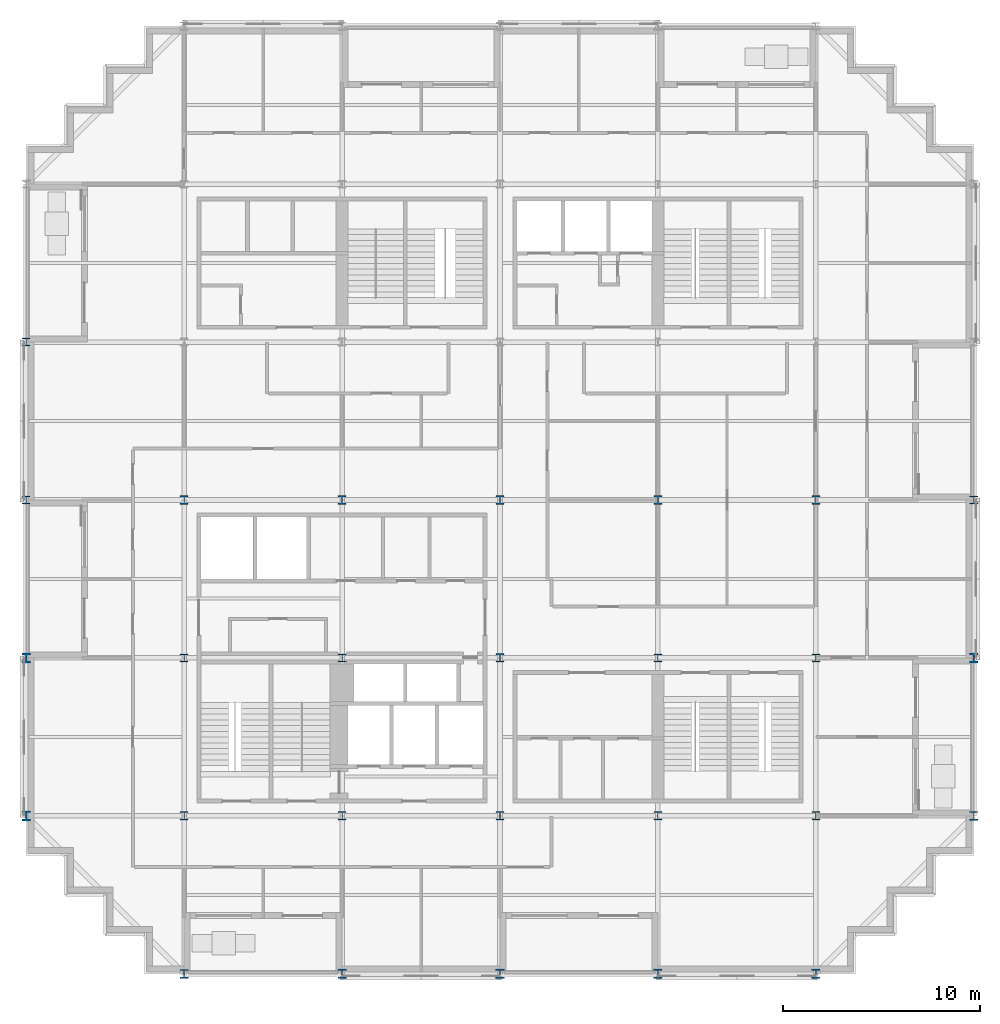
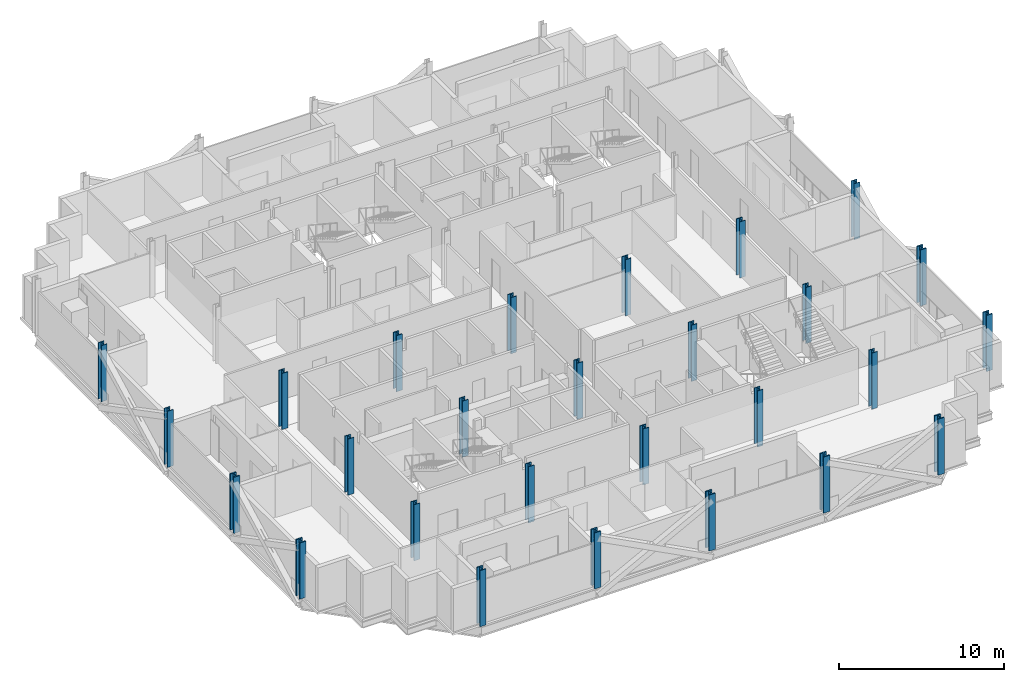
# One storey, part 1 of 15: 27 columns.
"""IFC4 building model written with IfcOpenShell, lengths in metres."""

import ifcopenshell
import ifcopenshell.guid

model = None  # the IFC model being written
_history = None  # IfcOwnerHistory: only IFC2X3 demands one
_inside = {}  # id of a spatial element -> (the spatial element, [elements in it])
_under = {}  # id of a project, library or spatial element -> (it, [spatial elements below it])
_declared = {}  # id of a project -> (the project, [libraries it declares])
_typed = {}  # id of a type object -> (the type object, [elements of that type])
_made_of = {}  # id of a material, layer set ... -> (it, [elements and type objects made of it])


def new_model(schema):
    """Start an empty IFC model of exactly this schema.

    Asked for "IFC4X3", IfcOpenShell would pick the latest addendum, in which some entities
    have other attributes; the version numbers below select the first issue.
    IFC2X3 requires an IfcOwnerHistory on every rooted entity: one is made here for all.
    """
    global model, _history
    if schema == "IFC4X3":
        model = ifcopenshell.file(schema_version=(4, 3, 0, 0))
    else:
        model = ifcopenshell.file(schema=schema)
    _inside.clear()
    _under.clear()
    _declared.clear()
    _typed.clear()
    _made_of.clear()
    _history = None
    if model.schema == "IFC2X3":
        org = make("IfcOrganization", Name="unknown")
        user = make(
            "IfcPersonAndOrganization",
            ThePerson=make("IfcPerson", FamilyName="unknown"),
            TheOrganization=org,
        )
        app = make(
            "IfcApplication",
            ApplicationDeveloper=org,
            Version="unknown",
            ApplicationFullName="unknown",
            ApplicationIdentifier="unknown",
        )
        _history = make(
            "IfcOwnerHistory",
            OwningUser=user,
            OwningApplication=app,
            ChangeAction="ADDED",
            CreationDate=0,
        )
    return model


def make(cls, **values):
    """One entity of the class cls with the attributes given. An attribute that is None is left unset."""
    return model.create_entity(
        cls, **{name: value for name, value in values.items() if value is not None}
    )


def rooted(cls, **values):
    """An entity with a GlobalId (a new one), such as an element, a storey or a relation."""
    return make(cls, GlobalId=ifcopenshell.guid.new(), OwnerHistory=_history, **values)


def si_unit(unit_type, name, prefix=None):
    """IfcSIUnit, for example si_unit("LENGTHUNIT", "METRE", prefix="MILLI")."""
    return make("IfcSIUnit", UnitType=unit_type, Prefix=prefix, Name=name)


def assignment(units):
    """IfcUnitAssignment: the units of a project."""
    return None if units is None else make("IfcUnitAssignment", Units=units)


def point(xyz):
    """IfcCartesianPoint."""
    return None if xyz is None else make("IfcCartesianPoint", Coordinates=xyz)


def direction(xyz):
    """IfcDirection."""
    return None if xyz is None else make("IfcDirection", DirectionRatios=xyz)


def frame(location, z_axis=None, x_axis=None):
    """IfcAxis2Placement3D, a coordinate frame: its origin and axes. An axis left out is left unset."""
    return make(
        "IfcAxis2Placement3D",
        Location=point(location),
        Axis=direction(z_axis),
        RefDirection=direction(x_axis),
    )


def frame_2d(location, x_axis=None):
    """IfcAxis2Placement2D, a coordinate frame in the plane: its origin and x axis."""
    return make(
        "IfcAxis2Placement2D", Location=point(location), RefDirection=direction(x_axis)
    )


def origin():
    """The frame at (0, 0, 0) with its axes left unset."""
    return frame((0.0, 0.0, 0.0))


def origin_2d():
    """The frame at (0, 0) in the plane with its x axis left unset."""
    return frame_2d((0.0, 0.0))


def place(relative_to, where):
    """IfcLocalPlacement: puts the frame where relative to a parent placement (None: the world)."""
    return make(
        "IfcLocalPlacement", PlacementRelTo=relative_to, RelativePlacement=where
    )


def context(
    kind, dimensions, precision=None, world=None, true_north=None, identifier=None
):
    """IfcGeometricRepresentationContext, for example the 3D "Model" context."""
    return make(
        "IfcGeometricRepresentationContext",
        ContextIdentifier=identifier,
        ContextType=kind,
        CoordinateSpaceDimension=dimensions,
        Precision=precision,
        WorldCoordinateSystem=world,
        TrueNorth=true_north,
    )


def subcontext(parent, identifier, kind, view, scale=None):
    """IfcGeometricRepresentationSubContext, for example "Body" below "Model"."""
    return make(
        "IfcGeometricRepresentationSubContext",
        ContextIdentifier=identifier,
        ContextType=kind,
        ParentContext=parent,
        TargetScale=scale,
        TargetView=view,
    )


def project(units=None, contexts=None):
    """IfcProject with its units and contexts."""
    return rooted(
        "IfcProject",
        Name="project",
        RepresentationContexts=contexts,
        UnitsInContext=assignment(units),
    )


def spatial(cls, under=None, at=None, **own):
    """A site, building, storey or space (cls), placed at a placement, below another one or the project."""
    s = rooted(cls, ObjectPlacement=at, **own)
    if under is not None:
        _under.setdefault(under.id(), (under, []))[1].append(s)
    return s


def profile(cls, at=None, kind="AREA", **sizes):
    """A parametric profile (cls). Its sizes go by their IFC names, for example OverallWidth=200.0."""
    return make(cls, ProfileType=kind, Position=at, **sizes)


def i_section(**sizes):
    """IfcIShapeProfileDef."""
    return profile("IfcIShapeProfileDef", **sizes)


def extrude(swept, where, along, depth):
    """IfcExtrudedAreaSolid: the profile swept, set in the frame where, extruded along a direction by depth."""
    return make(
        "IfcExtrudedAreaSolid",
        SweptArea=swept,
        Position=where,
        ExtrudedDirection=direction(along),
        Depth=depth,
    )


def shape(context_of_items, identifier, shape_type, items):
    """IfcShapeRepresentation: the items that make up one representation, for example the "Body"."""
    return make(
        "IfcShapeRepresentation",
        ContextOfItems=context_of_items,
        RepresentationIdentifier=identifier,
        RepresentationType=shape_type,
        Items=items,
    )


def material(Name=None, Category=None):
    """IfcMaterial."""
    return make("IfcMaterial", Name=Name, Category=Category)


def material_profile(
    of_material, cross_section, Name=None, Category=None, Priority=None
):
    """IfcMaterialProfile: a cross section and its material."""
    return make(
        "IfcMaterialProfile",
        Name=Name,
        Material=of_material,
        Profile=cross_section,
        Priority=Priority,
        Category=Category,
    )


def profile_set(profiles, Name=None, composite=None):
    """IfcMaterialProfileSet."""
    return make(
        "IfcMaterialProfileSet",
        Name=Name,
        MaterialProfiles=profiles,
        CompositeProfile=composite,
    )


def made_of(thing, what):
    """Note that an element or type object is made of a material, layer set ...; save() writes the relation."""
    if what is not None:
        _made_of.setdefault(what.id(), (what, []))[1].append(thing)
    return thing


def type_object(cls, material=None, **own):
    """A type object (cls), such as IfcWallType, which elements share."""
    return made_of(rooted(cls, **own), material)


def element(
    cls,
    number,
    at=None,
    inside=None,
    cuts=None,
    type_object=None,
    material=None,
    context=None,
    identifier="Body",
    shape_type=None,
    held_by="IfcProductDefinitionShape",
    body=None,
    shapes=None,
    **own,
):
    """One element of the class cls, such as IfcWall. Its Tag is "e" and its number.

    at: its placement. inside: the storey or other place that contains it. cuts: it is an
    opening in that element (IfcRelVoidsElement). A single representation is given by context,
    identifier, shape_type and body (its items); several are given by shapes. held_by: the class
    of the entity that holds the representations. save() writes the other relations.
    """
    e = rooted(cls, Tag="e%d" % number, ObjectPlacement=at, **own)
    if body is not None:
        shapes = [shape(context, identifier, shape_type, body)]
    if shapes is not None:
        e.Representation = make(held_by, Representations=shapes)
    if inside is not None:
        _inside.setdefault(inside.id(), (inside, []))[1].append(e)
    if cuts is not None:
        rooted(
            "IfcRelVoidsElement", RelatingBuildingElement=cuts, RelatedOpeningElement=e
        )
    if type_object is not None:
        _typed.setdefault(type_object.id(), (type_object, []))[1].append(e)
    return made_of(e, material)


def aggregate(whole, parts):
    """IfcRelAggregates: a whole, such as a stair, and the parts it consists of."""
    return rooted("IfcRelAggregates", RelatingObject=whole, RelatedObjects=parts)


def save(model, path):
    """Write the relations noted so far, then the file.

    IfcRelAggregates (storeys below a building ...), IfcRelContainedInSpatialStructure (elements
    in a storey), IfcRelDefinesByType, IfcRelAssociatesMaterial and IfcRelDeclares: one each for
    every whole, place, type object, material and project.
    """
    for whole, parts in _under.values():
        aggregate(whole, parts)
    for where, things in _inside.values():
        rooted(
            "IfcRelContainedInSpatialStructure",
            RelatedElements=things,
            RelatingStructure=where,
        )
    for kind, things in _typed.values():
        rooted("IfcRelDefinesByType", RelatedObjects=things, RelatingType=kind)
    for what, things in _made_of.values():
        rooted("IfcRelAssociatesMaterial", RelatedObjects=things, RelatingMaterial=what)
    for by, libraries in _declared.values():
        rooted("IfcRelDeclares", RelatingContext=by, RelatedDefinitions=libraries)
    model.write(path)


model = new_model("IFC4")

# Units and contexts
model_context = context("Model", 3, precision=1e-05, world=origin(), true_north=direction((0.0, 1.0)))
body_context = subcontext(model_context, "Body", "Model", "MODEL_VIEW")
ifc_project = project(units=[si_unit("LENGTHUNIT", "METRE"), si_unit("AREAUNIT", "SQUARE_METRE"), si_unit("VOLUMEUNIT", "CUBIC_METRE"), si_unit("PLANEANGLEUNIT", "RADIAN"), si_unit("MASSUNIT", "GRAM", prefix="KILO")], contexts=[model_context])

# Site, building, storey
site_placement = place(None, origin())
site = spatial("IfcSite", under=ifc_project, at=site_placement, CompositionType="ELEMENT")
building_placement = place(site_placement, origin())
building = spatial("IfcBuilding", under=site, at=building_placement, Name="Immortelle Media Tower", CompositionType="ELEMENT")
storey_placement = place(building_placement, frame((0.0, 0.0, 109.60009765625)))
storey = spatial("IfcBuildingStorey", under=building, at=storey_placement, Name="L21", CompositionType="ELEMENT", Elevation=109.60009765625)

# Columns
ifc_material = material(Name="Steel ASTM A992 Gr 50", Category="steel")
ifc_material_profile_1 = material_profile(ifc_material, i_section(OverallWidth=0.39892578125, OverallDepth=0.385986328125, WebThickness=0.02099609375, FlangeThickness=0.032958984375, at=origin_2d()), Name="W14x176")
ifc_profile_set_1 = profile_set([ifc_material_profile_1], Name="Steel ASTM A992 Gr 50")
column_type_1 = type_object("IfcColumnType", Name="W14x176 column", PredefinedType="COLUMN", material=ifc_profile_set_1)
column_placement = place(storey_placement, frame((48.0, 24.0, 0.0), z_axis=(0.0, 0.0, 1.0), x_axis=(1.0, 0.0, 0.0)))
element("IfcColumn", 1, at=column_placement, inside=storey, type_object=column_type_1, Name="Column 7/D", PredefinedType="COLUMN", context=body_context, shape_type="SweptSolid", body=[
    extrude(i_section(OverallWidth=0.39892578125, OverallDepth=0.385986328125, WebThickness=0.02099609375, FlangeThickness=0.032958984375, at=origin_2d()), origin(), (0.0, 0.0, 1.0), 4.14990234375),
])
ifc_material_profile_2 = material_profile(ifc_material, i_section(OverallWidth=0.406005859375, OverallDepth=0.4169921875, WebThickness=0.030029296875, FlangeThickness=0.048095703125, at=origin_2d()), Name="W14x257")
ifc_profile_set_2 = profile_set([ifc_material_profile_2], Name="Steel ASTM A992 Gr 50")
column_type_2 = type_object("IfcColumnType", Name="W14x257 column", PredefinedType="COLUMN", material=ifc_profile_set_2)
for number, where, z_axis, x_axis, name in (
    (2, (0.0, 24.0, 0.0), (0.0, 0.0, 1.0), (1.0, 0.0, 0.0), "Column 1/D"),
    (3, (0.0, 32.0, 0.0), (0.0, 0.0, 1.0), (1.0, 0.0, 0.0), "Column 1/E"),
    (4, (8.0, 8.0, 0.0), (0.0, 0.0, 1.0), (1.0, 0.0, 0.0), "Column 2/B"),
    (5, (8.0, 16.0, 0.0), (0.0, 0.0, 1.0), (1.0, 0.0, 0.0), "Column 2/C"),
    (6, (16.0, 8.0, 0.0), (0.0, 0.0, 1.0), (1.0, 0.0, 0.0), "Column 3/B"),
    (7, (16.0, 16.0, 0.0), (0.0, 0.0, 1.0), (1.0, 0.0, 0.0), "Column 3/C"),
    (8, (32.0, 8.0, 0.0), (0.0, 0.0, 1.0), (1.0, 0.0, 0.0), "Column 5/B"),
    (9, (32.0, 16.0, 0.0), (0.0, 0.0, 1.0), (1.0, 0.0, 0.0), "Column 5/C"),
    (10, (40.0, 8.0, 0.0), (0.0, 0.0, 1.0), (1.0, 0.0, 0.0), "Column 6/B"),
    (11, (40.0, 16.0, 0.0), (0.0, 0.0, 1.0), (1.0, 0.0, 0.0), "Column 6/C"),
):
    element("IfcColumn", number, at=place(storey_placement, frame(where, z_axis=z_axis, x_axis=x_axis)), inside=storey, type_object=column_type_2, Name=name, PredefinedType="COLUMN", context=body_context, shape_type="SweptSolid", body=[
        extrude(i_section(OverallWidth=0.406005859375, OverallDepth=0.4169921875, WebThickness=0.030029296875, FlangeThickness=0.048095703125, at=origin_2d()), origin(), (0.0, 0.0, 1.0), 4.14990234375),
    ])
ifc_material_profile_3 = material_profile(ifc_material, i_section(OverallWidth=0.410888671875, OverallDepth=0.43408203125, WebThickness=0.035888671875, FlangeThickness=0.056884765625, at=origin_2d()), Name="W14x311")
ifc_profile_set_3 = profile_set([ifc_material_profile_3], Name="Steel ASTM A992 Gr 50")
column_type_3 = type_object("IfcColumnType", Name="W14x311 column", PredefinedType="COLUMN", material=ifc_profile_set_3)
for number, where, z_axis, x_axis, name in (
    (12, (8.0, 24.0, 0.0), (0.0, 0.0, 1.0), (1.0, 0.0, 0.0), "Column 2/D"),
    (13, (16.0, 24.0, 0.0), (0.0, 0.0, 1.0), (1.0, 0.0, 0.0), "Column 3/D"),
    (14, (24.0, 8.0, 0.0), (0.0, 0.0, 1.0), (1.0, 0.0, 0.0), "Column 4/B"),
    (15, (24.0, 16.0, 0.0), (0.0, 0.0, 1.0), (1.0, 0.0, 0.0), "Column 4/C"),
    (16, (24.0, 24.0, 0.0), (0.0, 0.0, 1.0), (1.0, 0.0, 0.0), "Column 4/D"),
    (17, (32.0, 24.0, 0.0), (0.0, 0.0, 1.0), (1.0, 0.0, 0.0), "Column 5/D"),
    (18, (40.0, 24.0, 0.0), (0.0, 0.0, 1.0), (1.0, 0.0, 0.0), "Column 6/D"),
):
    element("IfcColumn", number, at=place(storey_placement, frame(where, z_axis=z_axis, x_axis=x_axis)), inside=storey, type_object=column_type_3, Name=name, PredefinedType="COLUMN", context=body_context, shape_type="SweptSolid", body=[
        extrude(i_section(OverallWidth=0.410888671875, OverallDepth=0.43408203125, WebThickness=0.035888671875, FlangeThickness=0.056884765625, at=origin_2d()), origin(), (0.0, 0.0, 1.0), 4.14990234375),
    ])
ifc_material_profile_4 = material_profile(ifc_material, i_section(OverallWidth=0.4189453125, OverallDepth=0.455078125, WebThickness=0.0419921875, FlangeThickness=0.068115234375, at=origin_2d()), Name="W14x370")
ifc_profile_set_4 = profile_set([ifc_material_profile_4], Name="Steel ASTM A992 Gr 50")
column_type_4 = type_object("IfcColumnType", Name="W14x370 column", PredefinedType="COLUMN", material=ifc_profile_set_4)
for number, where, z_axis, x_axis, name in (
    (19, (8.0, 0.0, 0.0), (0.0, 0.0, 1.0), (1.0, 0.0, 0.0), "Column 2/A"),
    (20, (48.0, 8.0, 0.0), (0.0, 0.0, 1.0), (1.0, 0.0, 0.0), "Column 7/B"),
):
    element("IfcColumn", number, at=place(storey_placement, frame(where, z_axis=z_axis, x_axis=x_axis)), inside=storey, type_object=column_type_4, Name=name, PredefinedType="COLUMN", context=body_context, shape_type="SweptSolid", body=[
        extrude(i_section(OverallWidth=0.4189453125, OverallDepth=0.455078125, WebThickness=0.0419921875, FlangeThickness=0.068115234375, at=origin_2d()), origin(), (0.0, 0.0, 1.0), 4.14990234375),
    ])
ifc_material_profile_5 = material_profile(ifc_material, i_section(OverallWidth=0.431884765625, OverallDepth=0.498046875, WebThickness=0.055908203125, FlangeThickness=0.089111328125, at=origin_2d()), Name="W14x500")
ifc_profile_set_5 = profile_set([ifc_material_profile_5], Name="Steel ASTM A992 Gr 50")
column_type_5 = type_object("IfcColumnType", Name="W14x500 column", PredefinedType="COLUMN", material=ifc_profile_set_5)
for number, where, z_axis, x_axis, name in (
    (21, (0.0, 8.0, 0.0), (0.0, 0.0, 1.0), (1.0, 0.0, 0.0), "Column 1/B"),
    (22, (0.0, 16.0, 0.0), (0.0, 0.0, 1.0), (1.0, 0.0, 0.0), "Column 1/C"),
    (23, (16.0, 0.0, 0.0), (0.0, 0.0, 1.0), (1.0, 0.0, 0.0), "Column 3/A"),
    (24, (24.0, 0.0, 0.0), (0.0, 0.0, 1.0), (1.0, 0.0, 0.0), "Column 4/A"),
    (25, (32.0, 0.0, 0.0), (0.0, 0.0, 1.0), (1.0, 0.0, 0.0), "Column 5/A"),
    (26, (40.0, 0.0, 0.0), (0.0, 0.0, 1.0), (1.0, 0.0, 0.0), "Column 6/A"),
    (27, (48.0, 16.0, 0.0), (0.0, 0.0, 1.0), (1.0, 0.0, 0.0), "Column 7/C"),
):
    element("IfcColumn", number, at=place(storey_placement, frame(where, z_axis=z_axis, x_axis=x_axis)), inside=storey, type_object=column_type_5, Name=name, PredefinedType="COLUMN", context=body_context, shape_type="SweptSolid", body=[
        extrude(i_section(OverallWidth=0.431884765625, OverallDepth=0.498046875, WebThickness=0.055908203125, FlangeThickness=0.089111328125, at=origin_2d()), origin(), (0.0, 0.0, 1.0), 4.14990234375),
    ])

save(model, "model.ifc")
